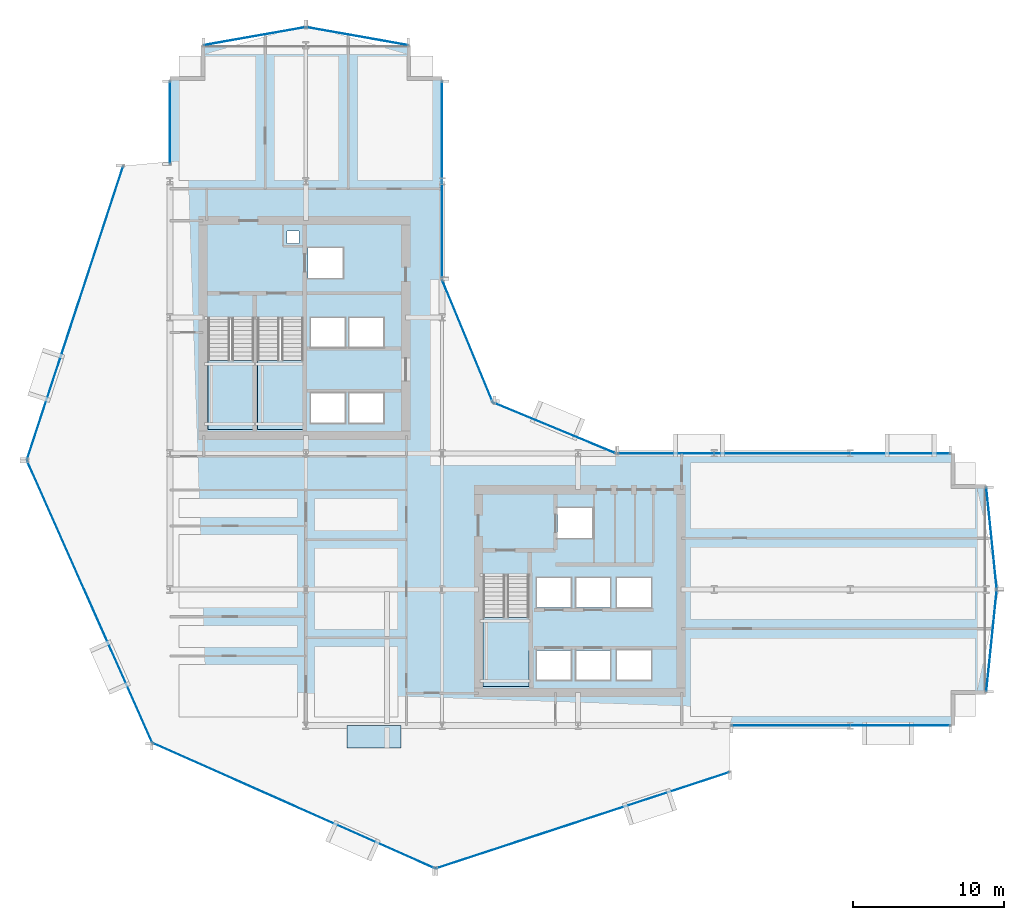
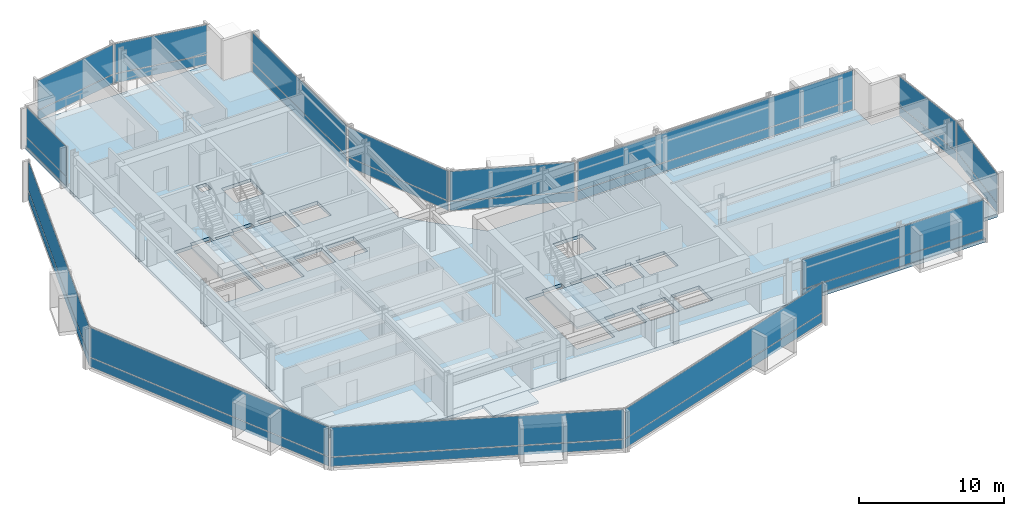
# One storey, part 26 of 34: 28 plates, 5 slabs, 17 elements without a shape of their own.
"""IFC4 building model written with IfcOpenShell, lengths in metres."""

from ifc_helpers import new_model, si_unit, direction, frame, origin, origin_2d, place, context, subcontext, project, spatial, polyline, rectangle, outline, extrude, material, layer, layer_set, type_object, element, aggregate, save


model = new_model("IFC4")

# Units and contexts
model_context = context("Model", 3, precision=1e-05, world=origin(), true_north=direction((0.0, 1.0)))
body_context = subcontext(model_context, "Body", "Model", "MODEL_VIEW")
ifc_project = project(units=[si_unit("LENGTHUNIT", "METRE"), si_unit("AREAUNIT", "SQUARE_METRE"), si_unit("VOLUMEUNIT", "CUBIC_METRE"), si_unit("PLANEANGLEUNIT", "RADIAN"), si_unit("MASSUNIT", "GRAM", prefix="KILO")], contexts=[model_context])

# Site, building, storey
site_placement = place(None, origin())
site = spatial("IfcSite", under=ifc_project, at=site_placement, CompositionType="ELEMENT")
building_placement = place(site_placement, origin())
building = spatial("IfcBuilding", under=site, at=building_placement, Name="Solvaryn Broadcast Tower", CompositionType="ELEMENT")
storey_placement = place(building_placement, frame((0.0, 0.0, 43.39990234375)))
storey = spatial("IfcBuildingStorey", under=building, at=storey_placement, Name="L09", CompositionType="ELEMENT", Elevation=43.39990234375)

# Curtain wall, plates
ifc_material_1 = material(Name="Aluminium and Terracotta Unitised Curtain Wall", Category="masonry")
ifc_layer_1 = layer(ifc_material_1, 0.199951171875)
ifc_layer_set_1 = layer_set([ifc_layer_1], Name="CW-SYS2-LOWMID")
curtain_wall_type = type_object("IfcCurtainWallType", Name="CW-SYS2-LOWMID", PredefinedType="NOTDEFINED", material=ifc_layer_set_1)
curtain_wall_1_placement = place(storey_placement, origin())
curtain_wall_1 = element("IfcCurtainWall", 1, at=curtain_wall_1_placement, inside=storey, type_object=curtain_wall_type, Name="L09 Curtain Wall DR1", PredefinedType="NOTDEFINED")
ifc_material_2 = material(Name="Low-Iron Insulated Vision Glass", Category="glass")
ifc_layer_2 = layer(ifc_material_2, 0.035888671875)
ifc_layer_set_2 = layer_set([ifc_layer_2], Name="CW-PNL-VISION")
plate_type = type_object("IfcPlateType", Name="CW-PNL-VISION", PredefinedType="CURTAIN_PANEL", material=ifc_layer_set_2)
plate_1_placement = place(storey_placement, frame((2.72607421875, 36.2880859375, 0.06005859375), z_axis=(0.0, 0.0, 1.0), x_axis=(-0.311594044587, -0.950215318429, 0.0)))
plate_1 = element("IfcPlate", 2, at=plate_1_placement, type_object=plate_type, Name="CWS2 panel 1.1", PredefinedType="CURTAIN_PANEL", context=body_context, shape_type="SweptSolid", body=[
    extrude(rectangle(XDim=20.35546875, YDim=0.028076171875, at=origin_2d()), origin(), (0.0, 0.0, 1.0), 0.760009765625),
])
plate_2_placement = place(storey_placement, frame((2.72607421875, 36.2880859375, 0.880126953125), z_axis=(0.0, 0.0, 1.0), x_axis=(-0.311594044587, -0.950215318429, 0.0)))
plate_2 = element("IfcPlate", 3, at=plate_2_placement, type_object=plate_type, Name="CWS2 panel 1.2", PredefinedType="CURTAIN_PANEL", context=body_context, shape_type="SweptSolid", body=[
    extrude(rectangle(XDim=20.35546875, YDim=0.028076171875, at=origin_2d()), origin(), (0.0, 0.0, 1.0), 2.47998046875),
])
aggregate(curtain_wall_1, [plate_1, plate_2])

curtain_wall_2_placement = place(storey_placement, origin())
curtain_wall_2 = element("IfcCurtainWall", 4, at=curtain_wall_2_placement, inside=storey, type_object=curtain_wall_type, Name="L09 Curtain Wall DR2", PredefinedType="NOTDEFINED")
plate_3_placement = place(storey_placement, frame((3.69140625, 17.20361328125, 0.06005859375), z_axis=(0.0, 0.0, 1.0), x_axis=(0.405898286554, -0.913918257271, 0.0)))
plate_3 = element("IfcPlate", 5, at=plate_3_placement, type_object=plate_type, Name="CWS2 panel 1.1", PredefinedType="CURTAIN_PANEL", context=body_context, shape_type="SweptSolid", body=[
    extrude(rectangle(XDim=20.35546875, YDim=0.028076171875, at=origin_2d()), origin(), (0.0, 0.0, 1.0), 0.760009765625),
])
plate_4_placement = place(storey_placement, frame((3.69140625, 17.20361328125, 0.880126953125), z_axis=(0.0, 0.0, 1.0), x_axis=(0.405898286554, -0.913918257271, 0.0)))
plate_4 = element("IfcPlate", 6, at=plate_4_placement, type_object=plate_type, Name="CWS2 panel 1.2", PredefinedType="CURTAIN_PANEL", context=body_context, shape_type="SweptSolid", body=[
    extrude(rectangle(XDim=20.35546875, YDim=0.028076171875, at=origin_2d()), origin(), (0.0, 0.0, 1.0), 2.47998046875),
])
aggregate(curtain_wall_2, [plate_3, plate_4])

curtain_wall_3_placement = place(storey_placement, origin())
curtain_wall_3 = element("IfcCurtainWall", 7, at=curtain_wall_3_placement, inside=storey, type_object=curtain_wall_type, Name="L09 Curtain Wall DR3", PredefinedType="NOTDEFINED")
plate_5_placement = place(storey_placement, frame((17.20361328125, 3.69140625, 0.06005859375), z_axis=(0.0, 0.0, 1.0), x_axis=(0.913918257271, -0.405898286554, 0.0)))
plate_5 = element("IfcPlate", 8, at=plate_5_placement, type_object=plate_type, Name="CWS2 panel 1.1", PredefinedType="CURTAIN_PANEL", context=body_context, shape_type="SweptSolid", body=[
    extrude(rectangle(XDim=20.35546875, YDim=0.028076171875, at=origin_2d()), origin(), (0.0, 0.0, 1.0), 0.760009765625),
])
plate_6_placement = place(storey_placement, frame((17.20361328125, 3.69140625, 0.880126953125), z_axis=(0.0, 0.0, 1.0), x_axis=(0.913918257271, -0.405898286554, 0.0)))
plate_6 = element("IfcPlate", 9, at=plate_6_placement, type_object=plate_type, Name="CWS2 panel 1.2", PredefinedType="CURTAIN_PANEL", context=body_context, shape_type="SweptSolid", body=[
    extrude(rectangle(XDim=20.35546875, YDim=0.028076171875, at=origin_2d()), origin(), (0.0, 0.0, 1.0), 2.47998046875),
])
aggregate(curtain_wall_3, [plate_5, plate_6])

curtain_wall_4_placement = place(storey_placement, origin())
curtain_wall_4 = element("IfcCurtainWall", 10, at=curtain_wall_4_placement, inside=storey, type_object=curtain_wall_type, Name="L09 Curtain Wall DR4", PredefinedType="NOTDEFINED")
plate_7_placement = place(storey_placement, frame((36.2880859375, 2.72607421875, 0.06005859375), z_axis=(0.0, 0.0, 1.0), x_axis=(0.950215318429, 0.311594044587, 0.0)))
plate_7 = element("IfcPlate", 11, at=plate_7_placement, type_object=plate_type, Name="CWS2 panel 1.1", PredefinedType="CURTAIN_PANEL", context=body_context, shape_type="SweptSolid", body=[
    extrude(rectangle(XDim=20.35546875, YDim=0.028076171875, at=origin_2d()), origin(), (0.0, 0.0, 1.0), 0.760009765625),
])
plate_8_placement = place(storey_placement, frame((36.2880859375, 2.72607421875, 0.880126953125), z_axis=(0.0, 0.0, 1.0), x_axis=(0.950215318429, 0.311594044587, 0.0)))
plate_8 = element("IfcPlate", 12, at=plate_8_placement, type_object=plate_type, Name="CWS2 panel 1.2", PredefinedType="CURTAIN_PANEL", context=body_context, shape_type="SweptSolid", body=[
    extrude(rectangle(XDim=20.35546875, YDim=0.028076171875, at=origin_2d()), origin(), (0.0, 0.0, 1.0), 2.47998046875),
])
aggregate(curtain_wall_4, [plate_7, plate_8])

curtain_wall_5_placement = place(storey_placement, origin())
curtain_wall_5 = element("IfcCurtainWall", 13, at=curtain_wall_5_placement, inside=storey, type_object=curtain_wall_type, Name="L09 Curtain Wall W2", PredefinedType="NOTDEFINED")
plate_9_placement = place(storey_placement, frame((9.0, 48.883056640625, 0.06005859375), z_axis=(0.0, 0.0, 1.0), x_axis=(0.0, 1.0, 0.0)))
plate_9 = element("IfcPlate", 14, at=plate_9_placement, type_object=plate_type, Name="CWS2 panel 1.1", PredefinedType="CURTAIN_PANEL", context=body_context, shape_type="SweptSolid", body=[
    extrude(rectangle(XDim=5.4140625, YDim=0.028076171875, at=origin_2d()), origin(), (0.0, 0.0, 1.0), 0.760009765625),
])
plate_10_placement = place(storey_placement, frame((9.0, 48.883056640625, 0.880126953125), z_axis=(0.0, 0.0, 1.0), x_axis=(0.0, 1.0, 0.0)))
plate_10 = element("IfcPlate", 15, at=plate_10_placement, type_object=plate_type, Name="CWS2 panel 1.2", PredefinedType="CURTAIN_PANEL", context=body_context, shape_type="SweptSolid", body=[
    extrude(rectangle(XDim=5.4140625, YDim=0.028076171875, at=origin_2d()), origin(), (0.0, 0.0, 1.0), 2.47998046875),
])
aggregate(curtain_wall_5, [plate_9, plate_10])

curtain_wall_6_placement = place(storey_placement, origin())
curtain_wall_6 = element("IfcCurtainWall", 16, at=curtain_wall_6_placement, inside=storey, type_object=curtain_wall_type, Name="L09 Curtain Wall IV", PredefinedType="NOTDEFINED")
plate_11_placement = place(storey_placement, frame((27.0, 45.125, 0.06005859375), z_axis=(0.0, 0.0, 1.0), x_axis=(0.0, -1.0, 0.0)))
plate_11 = element("IfcPlate", 17, at=plate_11_placement, type_object=plate_type, Name="CWS2 panel 1.1", PredefinedType="CURTAIN_PANEL", context=body_context, shape_type="SweptSolid", body=[
    extrude(rectangle(XDim=12.929931640625, YDim=0.028076171875, at=origin_2d()), origin(), (0.0, 0.0, 1.0), 0.760009765625),
])
plate_12_placement = place(storey_placement, frame((27.0, 45.125, 0.880126953125), z_axis=(0.0, 0.0, 1.0), x_axis=(0.0, -1.0, 0.0)))
plate_12 = element("IfcPlate", 18, at=plate_12_placement, type_object=plate_type, Name="CWS2 panel 1.2", PredefinedType="CURTAIN_PANEL", context=body_context, shape_type="SweptSolid", body=[
    extrude(rectangle(XDim=12.929931640625, YDim=0.028076171875, at=origin_2d()), origin(), (0.0, 0.0, 1.0), 2.47998046875),
])
aggregate(curtain_wall_6, [plate_11, plate_12])

curtain_wall_7_placement = place(storey_placement, origin())
curtain_wall_7 = element("IfcCurtainWall", 19, at=curtain_wall_7_placement, inside=storey, type_object=curtain_wall_type, Name="L09 Curtain Wall CN1", PredefinedType="NOTDEFINED")
plate_13_placement = place(storey_placement, frame((34.43408203125, 28.68408203125, 0.06005859375), z_axis=(0.0, 0.0, 1.0), x_axis=(-0.923894983957, 0.382646127145, 0.0)))
plate_13 = element("IfcPlate", 20, at=plate_13_placement, type_object=plate_type, Name="CWS2 panel 1.1", PredefinedType="CURTAIN_PANEL", context=body_context, shape_type="SweptSolid", body=[
    extrude(rectangle(XDim=8.681884765625, YDim=0.028076171875, at=origin_2d()), origin(), (0.0, 0.0, 1.0), 0.760009765625),
])
plate_14_placement = place(storey_placement, frame((34.43408203125, 28.68408203125, 0.880126953125), z_axis=(0.0, 0.0, 1.0), x_axis=(-0.923894983957, 0.382646127145, 0.0)))
plate_14 = element("IfcPlate", 21, at=plate_14_placement, type_object=plate_type, Name="CWS2 panel 1.2", PredefinedType="CURTAIN_PANEL", context=body_context, shape_type="SweptSolid", body=[
    extrude(rectangle(XDim=8.681884765625, YDim=0.028076171875, at=origin_2d()), origin(), (0.0, 0.0, 1.0), 2.47998046875),
])
aggregate(curtain_wall_7, [plate_13, plate_14])

curtain_wall_8_placement = place(storey_placement, origin())
curtain_wall_8 = element("IfcCurtainWall", 22, at=curtain_wall_8_placement, inside=storey, type_object=curtain_wall_type, Name="L09 Curtain Wall CN2", PredefinedType="NOTDEFINED")
plate_15_placement = place(storey_placement, frame((28.68408203125, 34.43408203125, 0.06005859375), z_axis=(0.0, 0.0, 1.0), x_axis=(-0.382646127145, 0.923894983957, 0.0)))
plate_15 = element("IfcPlate", 23, at=plate_15_placement, type_object=plate_type, Name="CWS2 panel 1.1", PredefinedType="CURTAIN_PANEL", context=body_context, shape_type="SweptSolid", body=[
    extrude(rectangle(XDim=8.681884765625, YDim=0.028076171875, at=origin_2d()), origin(), (0.0, 0.0, 1.0), 0.760009765625),
])
plate_16_placement = place(storey_placement, frame((28.68408203125, 34.43408203125, 0.880126953125), z_axis=(0.0, 0.0, 1.0), x_axis=(-0.382646127145, 0.923894983957, 0.0)))
plate_16 = element("IfcPlate", 24, at=plate_16_placement, type_object=plate_type, Name="CWS2 panel 1.2", PredefinedType="CURTAIN_PANEL", context=body_context, shape_type="SweptSolid", body=[
    extrude(rectangle(XDim=8.681884765625, YDim=0.028076171875, at=origin_2d()), origin(), (0.0, 0.0, 1.0), 2.47998046875),
])
aggregate(curtain_wall_8, [plate_15, plate_16])

curtain_wall_9_placement = place(storey_placement, origin())
curtain_wall_9 = element("IfcCurtainWall", 25, at=curtain_wall_9_placement, inside=storey, type_object=curtain_wall_type, Name="L09 Curtain Wall S2", PredefinedType="NOTDEFINED")
plate_17_placement = place(storey_placement, frame((53.383056640625, 9.0, 0.06005859375), z_axis=(0.0, 0.0, 1.0), x_axis=(1.0, 0.0, 0.0)))
plate_17 = element("IfcPlate", 26, at=plate_17_placement, type_object=plate_type, Name="CWS2 panel 1.1", PredefinedType="CURTAIN_PANEL", context=body_context, shape_type="SweptSolid", body=[
    extrude(rectangle(XDim=14.4140625, YDim=0.028076171875, at=origin_2d()), origin(), (0.0, 0.0, 1.0), 0.760009765625),
])
plate_18_placement = place(storey_placement, frame((53.383056640625, 9.0, 0.880126953125), z_axis=(0.0, 0.0, 1.0), x_axis=(1.0, 0.0, 0.0)))
plate_18 = element("IfcPlate", 27, at=plate_18_placement, type_object=plate_type, Name="CWS2 panel 1.2", PredefinedType="CURTAIN_PANEL", context=body_context, shape_type="SweptSolid", body=[
    extrude(rectangle(XDim=14.4140625, YDim=0.028076171875, at=origin_2d()), origin(), (0.0, 0.0, 1.0), 2.47998046875),
])
aggregate(curtain_wall_9, [plate_17, plate_18])

curtain_wall_10_placement = place(storey_placement, origin())
curtain_wall_10 = element("IfcCurtainWall", 28, at=curtain_wall_10_placement, inside=storey, type_object=curtain_wall_type, Name="L09 Curtain Wall NT1", PredefinedType="NOTDEFINED")
plate_19_placement = place(storey_placement, frame((21.39990234375, 54.60009765625, 0.06005859375), z_axis=(0.0, 0.0, 1.0), x_axis=(-0.984783558819, 0.173785333901, 0.0)))
plate_19 = element("IfcPlate", 29, at=plate_19_placement, type_object=plate_type, Name="CWS2 panel 1.1", PredefinedType="CURTAIN_PANEL", context=body_context, shape_type="SweptSolid", body=[
    extrude(rectangle(XDim=6.78515625, YDim=0.028076171875, at=origin_2d()), origin(), (0.0, 0.0, 1.0), 0.760009765625),
])
plate_20_placement = place(storey_placement, frame((21.39990234375, 54.60009765625, 0.880126953125), z_axis=(0.0, 0.0, 1.0), x_axis=(-0.984783558819, 0.173785333901, 0.0)))
plate_20 = element("IfcPlate", 30, at=plate_20_placement, type_object=plate_type, Name="CWS2 panel 1.2", PredefinedType="CURTAIN_PANEL", context=body_context, shape_type="SweptSolid", body=[
    extrude(rectangle(XDim=6.78515625, YDim=0.028076171875, at=origin_2d()), origin(), (0.0, 0.0, 1.0), 2.47998046875),
])
aggregate(curtain_wall_10, [plate_19, plate_20])

curtain_wall_11_placement = place(storey_placement, origin())
curtain_wall_11 = element("IfcCurtainWall", 31, at=curtain_wall_11_placement, inside=storey, type_object=curtain_wall_type, Name="L09 Curtain Wall NT2", PredefinedType="NOTDEFINED")
plate_21_placement = place(storey_placement, frame((14.60009765625, 54.60009765625, 0.06005859375), z_axis=(0.0, 0.0, 1.0), x_axis=(-0.984783558819, -0.173785333901, 0.0)))
plate_21 = element("IfcPlate", 32, at=plate_21_placement, type_object=plate_type, Name="CWS2 panel 1.1", PredefinedType="CURTAIN_PANEL", context=body_context, shape_type="SweptSolid", body=[
    extrude(rectangle(XDim=6.78515625, YDim=0.028076171875, at=origin_2d()), origin(), (0.0, 0.0, 1.0), 0.760009765625),
])
plate_22_placement = place(storey_placement, frame((14.60009765625, 54.60009765625, 0.880126953125), z_axis=(0.0, 0.0, 1.0), x_axis=(-0.984783558819, -0.173785333901, 0.0)))
plate_22 = element("IfcPlate", 33, at=plate_22_placement, type_object=plate_type, Name="CWS2 panel 1.2", PredefinedType="CURTAIN_PANEL", context=body_context, shape_type="SweptSolid", body=[
    extrude(rectangle(XDim=6.78515625, YDim=0.028076171875, at=origin_2d()), origin(), (0.0, 0.0, 1.0), 2.47998046875),
])
aggregate(curtain_wall_11, [plate_21, plate_22])

curtain_wall_12_placement = place(storey_placement, origin())
curtain_wall_12 = element("IfcCurtainWall", 34, at=curtain_wall_12_placement, inside=storey, type_object=curtain_wall_type, Name="L09 Curtain Wall ET1", PredefinedType="NOTDEFINED")
plate_23_placement = place(storey_placement, frame((63.35009765625, 21.39990234375, 0.06005859375), z_axis=(0.0, 0.0, 1.0), x_axis=(0.10240004548, -0.99474329889, 0.0)))
plate_23 = element("IfcPlate", 35, at=plate_23_placement, type_object=plate_type, Name="CWS2 panel 1.1", PredefinedType="CURTAIN_PANEL", context=body_context, shape_type="SweptSolid", body=[
    extrude(rectangle(XDim=6.7158203125, YDim=0.028076171875, at=origin_2d()), origin(), (0.0, 0.0, 1.0), 0.760009765625),
])
plate_24_placement = place(storey_placement, frame((63.35009765625, 21.39990234375, 0.880126953125), z_axis=(0.0, 0.0, 1.0), x_axis=(0.10240004548, -0.99474329889, 0.0)))
plate_24 = element("IfcPlate", 36, at=plate_24_placement, type_object=plate_type, Name="CWS2 panel 1.2", PredefinedType="CURTAIN_PANEL", context=body_context, shape_type="SweptSolid", body=[
    extrude(rectangle(XDim=6.7158203125, YDim=0.028076171875, at=origin_2d()), origin(), (0.0, 0.0, 1.0), 2.47998046875),
])
aggregate(curtain_wall_12, [plate_23, plate_24])

curtain_wall_13_placement = place(storey_placement, origin())
curtain_wall_13 = element("IfcCurtainWall", 37, at=curtain_wall_13_placement, inside=storey, type_object=curtain_wall_type, Name="L09 Curtain Wall ET2", PredefinedType="NOTDEFINED")
plate_25_placement = place(storey_placement, frame((63.35009765625, 14.60009765625, 0.06005859375), z_axis=(0.0, 0.0, 1.0), x_axis=(-0.10240004548, -0.99474329889, 0.0)))
plate_25 = element("IfcPlate", 38, at=plate_25_placement, type_object=plate_type, Name="CWS2 panel 1.1", PredefinedType="CURTAIN_PANEL", context=body_context, shape_type="SweptSolid", body=[
    extrude(rectangle(XDim=6.7158203125, YDim=0.028076171875, at=origin_2d()), origin(), (0.0, 0.0, 1.0), 0.760009765625),
])
plate_26_placement = place(storey_placement, frame((63.35009765625, 14.60009765625, 0.880126953125), z_axis=(0.0, 0.0, 1.0), x_axis=(-0.10240004548, -0.99474329889, 0.0)))
plate_26 = element("IfcPlate", 39, at=plate_26_placement, type_object=plate_type, Name="CWS2 panel 1.2", PredefinedType="CURTAIN_PANEL", context=body_context, shape_type="SweptSolid", body=[
    extrude(rectangle(XDim=6.7158203125, YDim=0.028076171875, at=origin_2d()), origin(), (0.0, 0.0, 1.0), 2.47998046875),
])
aggregate(curtain_wall_13, [plate_25, plate_26])

curtain_wall_14_placement = place(storey_placement, origin())
curtain_wall_14 = element("IfcCurtainWall", 40, at=curtain_wall_14_placement, inside=storey, type_object=curtain_wall_type, Name="L09 Curtain Wall IH", PredefinedType="NOTDEFINED")
plate_27_placement = place(storey_placement, frame((49.625, 27.0, 0.06005859375), z_axis=(0.0, 0.0, 1.0), x_axis=(1.0, 0.0, 0.0)))
plate_27 = element("IfcPlate", 41, at=plate_27_placement, type_object=plate_type, Name="CWS2 panel 1.1", PredefinedType="CURTAIN_PANEL", context=body_context, shape_type="SweptSolid", body=[
    extrude(rectangle(XDim=21.929931640625, YDim=0.028076171875, at=origin_2d()), origin(), (0.0, 0.0, 1.0), 0.760009765625),
])
plate_28_placement = place(storey_placement, frame((49.625, 27.0, 0.880126953125), z_axis=(0.0, 0.0, 1.0), x_axis=(1.0, 0.0, 0.0)))
plate_28 = element("IfcPlate", 42, at=plate_28_placement, type_object=plate_type, Name="CWS2 panel 1.2", PredefinedType="CURTAIN_PANEL", context=body_context, shape_type="SweptSolid", body=[
    extrude(rectangle(XDim=21.929931640625, YDim=0.028076171875, at=origin_2d()), origin(), (0.0, 0.0, 1.0), 2.47998046875),
])
aggregate(curtain_wall_14, [plate_27, plate_28])

# Slab
ifc_material_3 = material(Name="Concrete f'c 60 MPa", Category="concrete")
ifc_layer_3 = layer(ifc_material_3, 0.2099609375)
ifc_layer_set_3 = layer_set([ifc_layer_3], Name="SL-BAYBOX-210")
slab_type_1 = type_object("IfcSlabType", Name="SL-BAYBOX-210", PredefinedType="FLOOR", material=ifc_layer_set_3)
slab_1_placement = place(storey_placement, frame((0.0, 0.0, -0.2099609375)))
element("IfcSlab", 43, at=slab_1_placement, inside=storey, type_object=slab_type_1, Name="L09 Projecting Bay-Box Slab 1", PredefinedType="FLOOR", context=body_context, shape_type="SweptSolid", body=[
    extrude(outline(polyline([(20.699951171875, 7.5), (24.300048828125, 7.5), (24.300048828125, 9.0), (20.699951171875, 9.0), (20.699951171875, 7.5)])), origin(), (0.0, 0.0, 1.0), 0.2099609375),
])

# Stair, slab
ifc_material_4 = material(Name="Concrete f'c 60 MPa", Category="concrete")
stair_type = type_object("IfcStairType", Name="ST-CORE", PredefinedType="HALF_TURN_STAIR", material=ifc_material_4)
stair_1_placement = place(storey_placement, origin())
stair_1 = element("IfcStair", 44, at=stair_1_placement, inside=storey, type_object=stair_type, Name="L09 ST1", PredefinedType="HALF_TURN_STAIR")
ifc_material_5 = material(Name="Concrete f'c 60 MPa", Category="concrete")
ifc_layer_4 = layer(ifc_material_5, 0.199951171875)
ifc_layer_set_4 = layer_set([ifc_layer_4], Name="SL-LANDING-200")
slab_type_2 = type_object("IfcSlabType", Name="SL-LANDING-200", PredefinedType="LANDING", material=ifc_layer_set_4)
slab_2_placement = place(storey_placement, frame((0.0, 0.0, 1.650146484375)))
slab_2 = element("IfcSlab", 45, at=slab_2_placement, type_object=slab_type_2, Name="ST1 landing 1", PredefinedType="LANDING", context=body_context, shape_type="SweptSolid", body=[
    extrude(outline(polyline([(11.52001953125, 33.159912109375), (11.52001953125, 28.60009765625), (14.550048828125, 28.60009765625), (14.550048828125, 33.159912109375), (11.52001953125, 33.159912109375)])), origin(), (0.0, 0.0, 1.0), 0.199951171875),
])
aggregate(stair_1, [slab_2])

stair_2_placement = place(storey_placement, origin())
stair_2 = element("IfcStair", 46, at=stair_2_placement, inside=storey, type_object=stair_type, Name="L09 ST2", PredefinedType="HALF_TURN_STAIR")
slab_3_placement = place(storey_placement, frame((0.0, 0.0, 1.650146484375)))
slab_3 = element("IfcSlab", 47, at=slab_3_placement, type_object=slab_type_2, Name="ST2 landing 1", PredefinedType="LANDING", context=body_context, shape_type="SweptSolid", body=[
    extrude(outline(polyline([(14.800048828125, 33.159912109375), (14.800048828125, 28.60009765625), (17.830078125, 28.60009765625), (17.830078125, 33.159912109375), (14.800048828125, 33.159912109375)])), origin(), (0.0, 0.0, 1.0), 0.199951171875),
])
aggregate(stair_2, [slab_3])

stair_3_placement = place(storey_placement, origin())
stair_3 = element("IfcStair", 48, at=stair_3_placement, inside=storey, type_object=stair_type, Name="L09 ST3", PredefinedType="HALF_TURN_STAIR")
slab_4_placement = place(storey_placement, frame((0.0, 0.0, 1.650146484375)))
slab_4 = element("IfcSlab", 49, at=slab_4_placement, type_object=slab_type_2, Name="ST3 landing 1", PredefinedType="LANDING", context=body_context, shape_type="SweptSolid", body=[
    extrude(outline(polyline([(29.719970703125, 16.159912109375), (29.719970703125, 11.60009765625), (32.75, 11.60009765625), (32.75, 16.159912109375), (29.719970703125, 16.159912109375)])), origin(), (0.0, 0.0, 1.0), 0.199951171875),
])
aggregate(stair_3, [slab_4])

# Slab
ifc_material_6 = material(Name="Concrete f'c 60 MPa", Category="concrete")
ifc_layer_5 = layer(ifc_material_6, 0.280029296875)
ifc_layer_set_5 = layer_set([ifc_layer_5], Name="SL-TWR-280")
slab_type_3 = type_object("IfcSlabType", Name="SL-TWR-280", PredefinedType="FLOOR", material=ifc_layer_set_5)
slab_5_placement = place(storey_placement, frame((0.0, 0.0, -0.27978515625)))
element("IfcSlab", 50, at=slab_5_placement, inside=storey, type_object=slab_type_3, Name="L09 Structural Floor Slab", PredefinedType="FLOOR", context=body_context, shape_type="SweptSolid", body=[
    extrude(outline(polyline([(11.199951171875, 9.0), (60.800048828125, 9.0), (60.800048828125, 11.199951171875), (63.0, 11.199951171875), (63.0, 24.800048828125), (60.800048828125, 24.800048828125), (60.800048828125, 27.0), (31.5, 27.0), (27.0, 31.5), (27.0, 51.800048828125), (24.800048828125, 51.800048828125), (24.800048828125, 54.0), (11.199951171875, 54.0), (11.199951171875, 51.800048828125), (9.0, 51.800048828125), (9.0, 11.199951171875), (11.199951171875, 11.199951171875), (11.199951171875, 9.0)]), holes=[polyline([(11.52001953125, 28.60009765625), (14.550048828125, 28.60009765625), (14.550048828125, 35.9599609375), (12.97998046875, 35.9599609375), (12.97998046875, 35.679931640625), (11.52001953125, 35.679931640625), (11.52001953125, 28.60009765625)]), polyline([(14.800048828125, 28.60009765625), (17.830078125, 28.60009765625), (17.830078125, 35.9599609375), (16.260009765625, 35.9599609375), (16.260009765625, 35.679931640625), (14.800048828125, 35.679931640625), (14.800048828125, 28.60009765625)]), polyline([(29.719970703125, 11.60009765625), (32.75, 11.60009765625), (32.75, 18.9599609375), (31.179931640625, 18.9599609375), (31.179931640625, 18.679931640625), (29.719970703125, 18.679931640625), (29.719970703125, 11.60009765625)]), polyline([(18.14990234375, 38.60009765625), (20.449951171875, 38.60009765625), (20.449951171875, 40.60009765625), (18.14990234375, 40.60009765625), (18.14990234375, 38.60009765625)]), polyline([(18.324951171875, 29.02490234375), (20.574951171875, 29.02490234375), (20.574951171875, 30.97509765625), (18.324951171875, 30.97509765625), (18.324951171875, 29.02490234375)]), polyline([(20.875, 29.02490234375), (23.125, 29.02490234375), (23.125, 30.97509765625), (20.875, 30.97509765625), (20.875, 29.02490234375)]), polyline([(18.324951171875, 34.02490234375), (20.574951171875, 34.02490234375), (20.574951171875, 35.97509765625), (18.324951171875, 35.97509765625), (18.324951171875, 34.02490234375)]), polyline([(20.875, 34.02490234375), (23.125, 34.02490234375), (23.125, 35.97509765625), (20.875, 35.97509765625), (20.875, 34.02490234375)]), polyline([(34.64990234375, 21.39990234375), (36.949951171875, 21.39990234375), (36.949951171875, 23.39990234375), (34.64990234375, 23.39990234375), (34.64990234375, 21.39990234375)]), polyline([(33.27490234375, 12.02490234375), (35.52490234375, 12.02490234375), (35.52490234375, 13.97509765625), (33.27490234375, 13.97509765625), (33.27490234375, 12.02490234375)]), polyline([(35.875, 12.02490234375), (38.125, 12.02490234375), (38.125, 13.97509765625), (35.875, 13.97509765625), (35.875, 12.02490234375)]), polyline([(33.27490234375, 16.824951171875), (35.52490234375, 16.824951171875), (35.52490234375, 18.77490234375), (33.27490234375, 18.77490234375), (33.27490234375, 16.824951171875)]), polyline([(35.875, 16.824951171875), (38.125, 16.824951171875), (38.125, 18.77490234375), (35.875, 18.77490234375), (35.875, 16.824951171875)]), polyline([(38.574951171875, 12.02490234375), (40.824951171875, 12.02490234375), (40.824951171875, 13.97509765625), (38.574951171875, 13.97509765625), (38.574951171875, 12.02490234375)]), polyline([(38.574951171875, 16.824951171875), (40.824951171875, 16.824951171875), (40.824951171875, 18.77490234375), (38.574951171875, 18.77490234375), (38.574951171875, 16.824951171875)]), polyline([(16.75, 40.89990234375), (17.550048828125, 40.89990234375), (17.550048828125, 41.699951171875), (16.75, 41.699951171875), (16.75, 40.89990234375)])]), origin(), (0.0, 0.0, 1.0), 0.27978515625),
])

save(model, "model.ifc")
